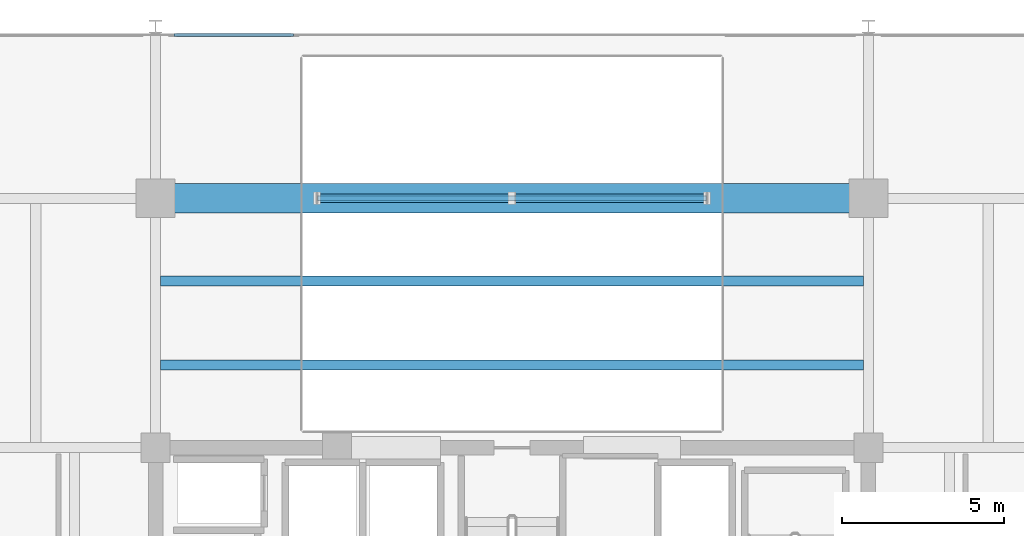
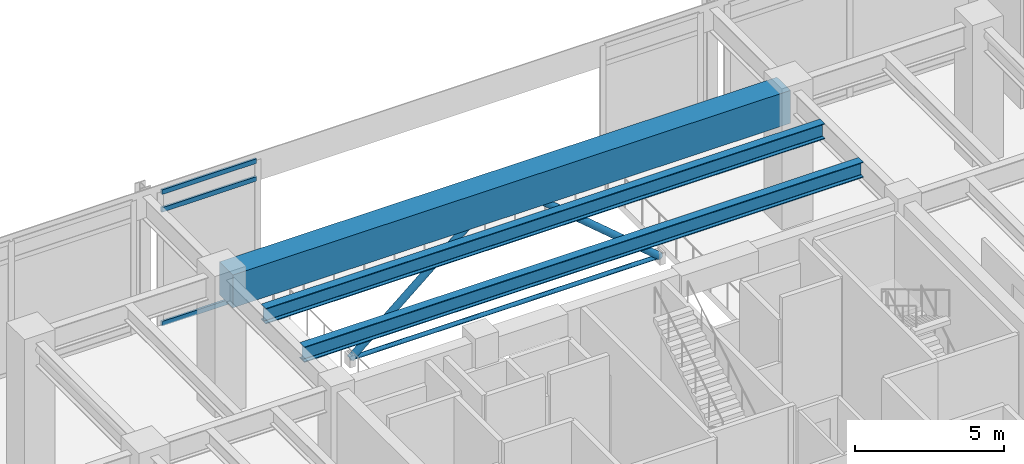
# One storey, part 14 of 25: 6 members, 3 beams, 1 element without a shape of its own.
"""IFC4 building model written with IfcOpenShell, lengths in metres."""

import ifcopenshell
import ifcopenshell.guid

model = None  # the IFC model being written
_history = None  # IfcOwnerHistory: only IFC2X3 demands one
_inside = {}  # id of a spatial element -> (the spatial element, [elements in it])
_under = {}  # id of a project, library or spatial element -> (it, [spatial elements below it])
_declared = {}  # id of a project -> (the project, [libraries it declares])
_typed = {}  # id of a type object -> (the type object, [elements of that type])
_made_of = {}  # id of a material, layer set ... -> (it, [elements and type objects made of it])


def new_model(schema):
    """Start an empty IFC model of exactly this schema.

    Asked for "IFC4X3", IfcOpenShell would pick the latest addendum, in which some entities
    have other attributes; the version numbers below select the first issue.
    IFC2X3 requires an IfcOwnerHistory on every rooted entity: one is made here for all.
    """
    global model, _history
    if schema == "IFC4X3":
        model = ifcopenshell.file(schema_version=(4, 3, 0, 0))
    else:
        model = ifcopenshell.file(schema=schema)
    _inside.clear()
    _under.clear()
    _declared.clear()
    _typed.clear()
    _made_of.clear()
    _history = None
    if model.schema == "IFC2X3":
        org = make("IfcOrganization", Name="unknown")
        user = make(
            "IfcPersonAndOrganization",
            ThePerson=make("IfcPerson", FamilyName="unknown"),
            TheOrganization=org,
        )
        app = make(
            "IfcApplication",
            ApplicationDeveloper=org,
            Version="unknown",
            ApplicationFullName="unknown",
            ApplicationIdentifier="unknown",
        )
        _history = make(
            "IfcOwnerHistory",
            OwningUser=user,
            OwningApplication=app,
            ChangeAction="ADDED",
            CreationDate=0,
        )
    return model


def make(cls, **values):
    """One entity of the class cls with the attributes given. An attribute that is None is left unset."""
    return model.create_entity(
        cls, **{name: value for name, value in values.items() if value is not None}
    )


def rooted(cls, **values):
    """An entity with a GlobalId (a new one), such as an element, a storey or a relation."""
    return make(cls, GlobalId=ifcopenshell.guid.new(), OwnerHistory=_history, **values)


def si_unit(unit_type, name, prefix=None):
    """IfcSIUnit, for example si_unit("LENGTHUNIT", "METRE", prefix="MILLI")."""
    return make("IfcSIUnit", UnitType=unit_type, Prefix=prefix, Name=name)


def assignment(units):
    """IfcUnitAssignment: the units of a project."""
    return None if units is None else make("IfcUnitAssignment", Units=units)


def point(xyz):
    """IfcCartesianPoint."""
    return None if xyz is None else make("IfcCartesianPoint", Coordinates=xyz)


def direction(xyz):
    """IfcDirection."""
    return None if xyz is None else make("IfcDirection", DirectionRatios=xyz)


def frame(location, z_axis=None, x_axis=None):
    """IfcAxis2Placement3D, a coordinate frame: its origin and axes. An axis left out is left unset."""
    return make(
        "IfcAxis2Placement3D",
        Location=point(location),
        Axis=direction(z_axis),
        RefDirection=direction(x_axis),
    )


def frame_2d(location, x_axis=None):
    """IfcAxis2Placement2D, a coordinate frame in the plane: its origin and x axis."""
    return make(
        "IfcAxis2Placement2D", Location=point(location), RefDirection=direction(x_axis)
    )


def origin():
    """The frame at (0, 0, 0) with its axes left unset."""
    return frame((0.0, 0.0, 0.0))


def origin_2d():
    """The frame at (0, 0) in the plane with its x axis left unset."""
    return frame_2d((0.0, 0.0))


def place(relative_to, where):
    """IfcLocalPlacement: puts the frame where relative to a parent placement (None: the world)."""
    return make(
        "IfcLocalPlacement", PlacementRelTo=relative_to, RelativePlacement=where
    )


def context(
    kind, dimensions, precision=None, world=None, true_north=None, identifier=None
):
    """IfcGeometricRepresentationContext, for example the 3D "Model" context."""
    return make(
        "IfcGeometricRepresentationContext",
        ContextIdentifier=identifier,
        ContextType=kind,
        CoordinateSpaceDimension=dimensions,
        Precision=precision,
        WorldCoordinateSystem=world,
        TrueNorth=true_north,
    )


def subcontext(parent, identifier, kind, view, scale=None):
    """IfcGeometricRepresentationSubContext, for example "Body" below "Model"."""
    return make(
        "IfcGeometricRepresentationSubContext",
        ContextIdentifier=identifier,
        ContextType=kind,
        ParentContext=parent,
        TargetScale=scale,
        TargetView=view,
    )


def project(units=None, contexts=None):
    """IfcProject with its units and contexts."""
    return rooted(
        "IfcProject",
        Name="project",
        RepresentationContexts=contexts,
        UnitsInContext=assignment(units),
    )


def spatial(cls, under=None, at=None, **own):
    """A site, building, storey or space (cls), placed at a placement, below another one or the project."""
    s = rooted(cls, ObjectPlacement=at, **own)
    if under is not None:
        _under.setdefault(under.id(), (under, []))[1].append(s)
    return s


def profile(cls, at=None, kind="AREA", **sizes):
    """A parametric profile (cls). Its sizes go by their IFC names, for example OverallWidth=200.0."""
    return make(cls, ProfileType=kind, Position=at, **sizes)


def rectangle(**sizes):
    """IfcRectangleProfileDef."""
    return profile("IfcRectangleProfileDef", **sizes)


def hollow_rectangle(**sizes):
    """IfcRectangleHollowProfileDef."""
    return profile("IfcRectangleHollowProfileDef", **sizes)


def hollow_circle(**sizes):
    """IfcCircleHollowProfileDef."""
    return profile("IfcCircleHollowProfileDef", **sizes)


def i_section(**sizes):
    """IfcIShapeProfileDef."""
    return profile("IfcIShapeProfileDef", **sizes)


def extrude(swept, where, along, depth):
    """IfcExtrudedAreaSolid: the profile swept, set in the frame where, extruded along a direction by depth."""
    return make(
        "IfcExtrudedAreaSolid",
        SweptArea=swept,
        Position=where,
        ExtrudedDirection=direction(along),
        Depth=depth,
    )


def shape(context_of_items, identifier, shape_type, items):
    """IfcShapeRepresentation: the items that make up one representation, for example the "Body"."""
    return make(
        "IfcShapeRepresentation",
        ContextOfItems=context_of_items,
        RepresentationIdentifier=identifier,
        RepresentationType=shape_type,
        Items=items,
    )


def material(Name=None, Category=None):
    """IfcMaterial."""
    return make("IfcMaterial", Name=Name, Category=Category)


def material_profile(
    of_material, cross_section, Name=None, Category=None, Priority=None
):
    """IfcMaterialProfile: a cross section and its material."""
    return make(
        "IfcMaterialProfile",
        Name=Name,
        Material=of_material,
        Profile=cross_section,
        Priority=Priority,
        Category=Category,
    )


def profile_set(profiles, Name=None, composite=None):
    """IfcMaterialProfileSet."""
    return make(
        "IfcMaterialProfileSet",
        Name=Name,
        MaterialProfiles=profiles,
        CompositeProfile=composite,
    )


def made_of(thing, what):
    """Note that an element or type object is made of a material, layer set ...; save() writes the relation."""
    if what is not None:
        _made_of.setdefault(what.id(), (what, []))[1].append(thing)
    return thing


def type_object(cls, material=None, **own):
    """A type object (cls), such as IfcWallType, which elements share."""
    return made_of(rooted(cls, **own), material)


def element(
    cls,
    number,
    at=None,
    inside=None,
    cuts=None,
    type_object=None,
    material=None,
    context=None,
    identifier="Body",
    shape_type=None,
    held_by="IfcProductDefinitionShape",
    body=None,
    shapes=None,
    **own,
):
    """One element of the class cls, such as IfcWall. Its Tag is "e" and its number.

    at: its placement. inside: the storey or other place that contains it. cuts: it is an
    opening in that element (IfcRelVoidsElement). A single representation is given by context,
    identifier, shape_type and body (its items); several are given by shapes. held_by: the class
    of the entity that holds the representations. save() writes the other relations.
    """
    e = rooted(cls, Tag="e%d" % number, ObjectPlacement=at, **own)
    if body is not None:
        shapes = [shape(context, identifier, shape_type, body)]
    if shapes is not None:
        e.Representation = make(held_by, Representations=shapes)
    if inside is not None:
        _inside.setdefault(inside.id(), (inside, []))[1].append(e)
    if cuts is not None:
        rooted(
            "IfcRelVoidsElement", RelatingBuildingElement=cuts, RelatedOpeningElement=e
        )
    if type_object is not None:
        _typed.setdefault(type_object.id(), (type_object, []))[1].append(e)
    return made_of(e, material)


def aggregate(whole, parts):
    """IfcRelAggregates: a whole, such as a stair, and the parts it consists of."""
    return rooted("IfcRelAggregates", RelatingObject=whole, RelatedObjects=parts)


def save(model, path):
    """Write the relations noted so far, then the file.

    IfcRelAggregates (storeys below a building ...), IfcRelContainedInSpatialStructure (elements
    in a storey), IfcRelDefinesByType, IfcRelAssociatesMaterial and IfcRelDeclares: one each for
    every whole, place, type object, material and project.
    """
    for whole, parts in _under.values():
        aggregate(whole, parts)
    for where, things in _inside.values():
        rooted(
            "IfcRelContainedInSpatialStructure",
            RelatedElements=things,
            RelatingStructure=where,
        )
    for kind, things in _typed.values():
        rooted("IfcRelDefinesByType", RelatedObjects=things, RelatingType=kind)
    for what, things in _made_of.values():
        rooted("IfcRelAssociatesMaterial", RelatedObjects=things, RelatingMaterial=what)
    for by, libraries in _declared.values():
        rooted("IfcRelDeclares", RelatingContext=by, RelatedDefinitions=libraries)
    model.write(path)


model = new_model("IFC4")

# Units and contexts
model_context = context("Model", 3, precision=1e-05, world=origin(), true_north=direction((0.0, 1.0)))
body_context = subcontext(model_context, "Body", "Model", "MODEL_VIEW")
ifc_project = project(units=[si_unit("LENGTHUNIT", "METRE"), si_unit("AREAUNIT", "SQUARE_METRE"), si_unit("VOLUMEUNIT", "CUBIC_METRE"), si_unit("PLANEANGLEUNIT", "RADIAN"), si_unit("MASSUNIT", "GRAM", prefix="KILO")], contexts=[model_context])

# Site, building, storey
site_placement = place(None, origin())
site = spatial("IfcSite", under=ifc_project, at=site_placement, CompositionType="ELEMENT")
building_placement = place(site_placement, origin())
building = spatial("IfcBuilding", under=site, at=building_placement, Name="Kovane Verandah Tower", CompositionType="ELEMENT")
storey_placement = place(building_placement, frame((0.0, 0.0, 295.199951171875)))
storey = spatial("IfcBuildingStorey", under=building, at=storey_placement, Name="L69", CompositionType="ELEMENT", Elevation=295.199951171875)

# Beams
ifc_material_1 = material(Name="Concrete C80/95", Category="concrete")
ifc_material_profile_1 = material_profile(ifc_material_1, rectangle(XDim=0.89990234375, YDim=1.35009765625, at=origin_2d()), Name="RCB900x1350")
ifc_profile_set_1 = profile_set([ifc_material_profile_1], Name="Concrete C80/95")
beam_type_1 = type_object("IfcBeamType", Name="BM-TR-900x1350", PredefinedType="BEAM", material=ifc_profile_set_1)
beam_placement = place(storey_placement, frame((29.179931640625, 44.199951171875, 4.824951171875), z_axis=(1.0, 0.0, 0.0), x_axis=(0.0, 1.0, 0.0)))
element("IfcBeam", 1, at=beam_placement, inside=storey, type_object=beam_type_1, Name="L69 Primary Tower Girder G-RN2", PredefinedType="BEAM", context=body_context, shape_type="SweptSolid", body=[
    extrude(rectangle(XDim=0.89990234375, YDim=1.35009765625, at=origin_2d()), origin(), (0.0, 0.0, 1.0), 21.64013671875),
])
ifc_material_2 = material(Name="Steel S460", Category="steel")
ifc_material_profile_2 = material_profile(ifc_material_2, i_section(OverallWidth=0.311279296875, OverallDepth=0.6357421875, WebThickness=0.018310546875, FlangeThickness=0.031494140625, FilletRadius=0.0166015625, at=origin_2d()), Name="UB610x305x238")
ifc_profile_set_2 = profile_set([ifc_material_profile_2], Name="Steel S460")
beam_type_2 = type_object("IfcBeamType", Name="BM-UB610x238", PredefinedType="BEAM", material=ifc_profile_set_2)
for number, where, z_axis, x_axis, name in (
    (2, (29.15185546875, 39.050048828125, 5.18212890625), (1.0, 0.0, 0.0), (0.0, 1.0, 0.0), "L69 Secondary Composite Joist J-N1"),
    (3, (29.15185546875, 41.64990234375, 5.18212890625), (1.0, 0.0, 0.0), (0.0, 1.0, 0.0), "L69 Secondary Composite Joist J-N2"),
):
    element("IfcBeam", number, at=place(storey_placement, frame(where, z_axis=z_axis, x_axis=x_axis)), inside=storey, type_object=beam_type_2, Name=name, PredefinedType="BEAM", context=body_context, shape_type="SweptSolid", body=[
        extrude(i_section(OverallWidth=0.311279296875, OverallDepth=0.6357421875, WebThickness=0.018310546875, FlangeThickness=0.031494140625, FilletRadius=0.0166015625, at=origin_2d()), origin(), (0.0, 0.0, 1.0), 21.6962890625),
    ])

# Curtain wall, members
ifc_material_3 = material(Name="Champagne Anodised Aluminium Frame with Low-E Clear Laminated Glass", Category="aluminium")
curtain_wall_type = type_object("IfcCurtainWallType", Name="CW-SYS-05-HIGH", PredefinedType="NOTDEFINED", material=ifc_material_3)
curtain_wall_placement = place(storey_placement, origin())
curtain_wall = element("IfcCurtainWall", 4, at=curtain_wall_placement, inside=storey, type_object=curtain_wall_type, Name="L69 North-West Wind-Portal Curtain Wall 1", PredefinedType="NOTDEFINED")
ifc_material_4 = material(Name="Champagne Anodised Aluminium 6063-T6", Category="aluminium")
ifc_material_profile_3 = material_profile(ifc_material_4, hollow_rectangle(XDim=0.0849609375, YDim=0.18994140625, WallThickness=0.00390625, at=origin_2d()), Name="AL85x190x4")
ifc_profile_set_3 = profile_set([ifc_material_profile_3], Name="Champagne Anodised Aluminium 6063-T6")
member_type_1 = type_object("IfcMemberType", Name="CW-TRN-85x190", PredefinedType="USERDEFINED", material=ifc_profile_set_3)
member_1_placement = place(storey_placement, frame((33.25, 49.24169921875, 0.050048828125), z_axis=(-1.0, 0.0, 0.0), x_axis=(0.0, -1.0, 0.0)))
member_1 = element("IfcMember", 5, at=member_1_placement, type_object=member_type_1, Name="L69 North-West Wind-Portal Curtain Wall 1 Transom TB Bay 1", ObjectType="TRANSOM", PredefinedType="USERDEFINED", context=body_context, shape_type="SweptSolid", body=[
    extrude(hollow_rectangle(XDim=0.0849609375, YDim=0.18994140625, WallThickness=0.00390625, at=origin_2d()), origin(), (0.0, 0.0, 1.0), 3.679931640625),
])
member_2_placement = place(storey_placement, frame((33.25, 49.24169921875, 4.719970703125), z_axis=(-1.0, 0.0, 0.0), x_axis=(0.0, -1.0, 0.0)))
member_2 = element("IfcMember", 6, at=member_2_placement, type_object=member_type_1, Name="L69 North-West Wind-Portal Curtain Wall 1 Transom TM Bay 1", ObjectType="TRANSOM", PredefinedType="USERDEFINED", context=body_context, shape_type="SweptSolid", body=[
    extrude(hollow_rectangle(XDim=0.0849609375, YDim=0.18994140625, WallThickness=0.00390625, at=origin_2d()), origin(), (0.0, 0.0, 1.0), 3.679931640625),
])
member_3_placement = place(storey_placement, frame((33.25, 49.24169921875, 5.449951171875), z_axis=(-1.0, 0.0, 0.0), x_axis=(0.0, -1.0, 0.0)))
member_3 = element("IfcMember", 7, at=member_3_placement, type_object=member_type_1, Name="L69 North-West Wind-Portal Curtain Wall 1 Transom TT Bay 1", ObjectType="TRANSOM", PredefinedType="USERDEFINED", context=body_context, shape_type="SweptSolid", body=[
    extrude(hollow_rectangle(XDim=0.0849609375, YDim=0.18994140625, WallThickness=0.00390625, at=origin_2d()), origin(), (0.0, 0.0, 1.0), 3.679931640625),
])
aggregate(curtain_wall, [member_1, member_2, member_3])

# Members
ifc_material_5 = material(Name="Steel S355", Category="steel")
ifc_material_profile_4 = material_profile(ifc_material_5, hollow_circle(Radius=0.084228515625, WallThickness=0.008056640625, at=origin_2d()), Name="CHS168.3x8")
ifc_profile_set_4 = profile_set([ifc_material_profile_4], Name="Steel S355")
member_type_2 = type_object("IfcMemberType", Name="MEM-STRUT-CHS168", PredefinedType="STRUT", material=ifc_profile_set_4)
member_4_placement = place(storey_placement, frame((34.0, 44.199951171875, 0.1201171875), z_axis=(1.0, 0.0, 0.0), x_axis=(0.0, 1.0, 0.0)))
element("IfcMember", 8, at=member_4_placement, inside=storey, type_object=member_type_2, Name="L69 Wind-Portal Sill Tie", PredefinedType="STRUT", context=body_context, shape_type="SweptSolid", body=[
    extrude(hollow_circle(Radius=0.084228515625, WallThickness=0.008056640625, at=origin_2d()), origin(), (0.0, 0.0, 1.0), 12.0),
])
ifc_material_profile_5 = material_profile(ifc_material_5, hollow_circle(Radius=0.136474609375, WallThickness=0.010009765625, at=origin_2d()), Name="CHS273x10")
ifc_profile_set_5 = profile_set([ifc_material_profile_5], Name="Steel S355")
member_type_3 = type_object("IfcMemberType", Name="MEM-STRUT-CHS273", PredefinedType="STRUT", material=ifc_profile_set_5)
for number, where, z_axis, x_axis, name in (
    (9, (34.0, 44.199951171875, 0.1201171875), (0.763203673849, 0.0, 0.646157993236), (0.0, 1.0, 0.0), "L69 Wind-Portal Aerodynamic V-Strut 1A"),
    (10, (46.0, 44.199951171875, 0.1201171875), (-0.763203673849, 0.0, 0.646157993236), (0.0, -1.0, 0.0), "L69 Wind-Portal Aerodynamic V-Strut 1B"),
):
    element("IfcMember", number, at=place(storey_placement, frame(where, z_axis=z_axis, x_axis=x_axis)), inside=storey, type_object=member_type_3, Name=name, PredefinedType="STRUT", context=body_context, shape_type="SweptSolid", body=[
        extrude(hollow_circle(Radius=0.136474609375, WallThickness=0.010009765625, at=origin_2d()), origin(), (0.0, 0.0, 1.0), 7.861572265625),
    ])

save(model, "model.ifc")
